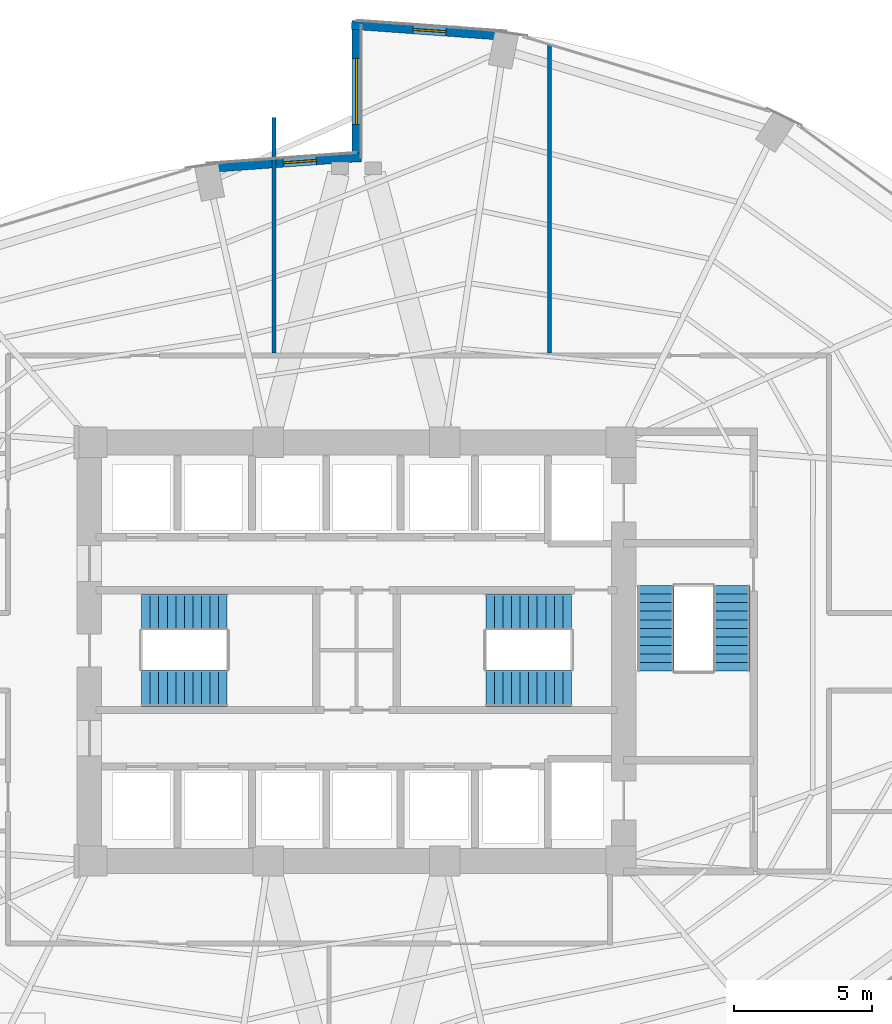
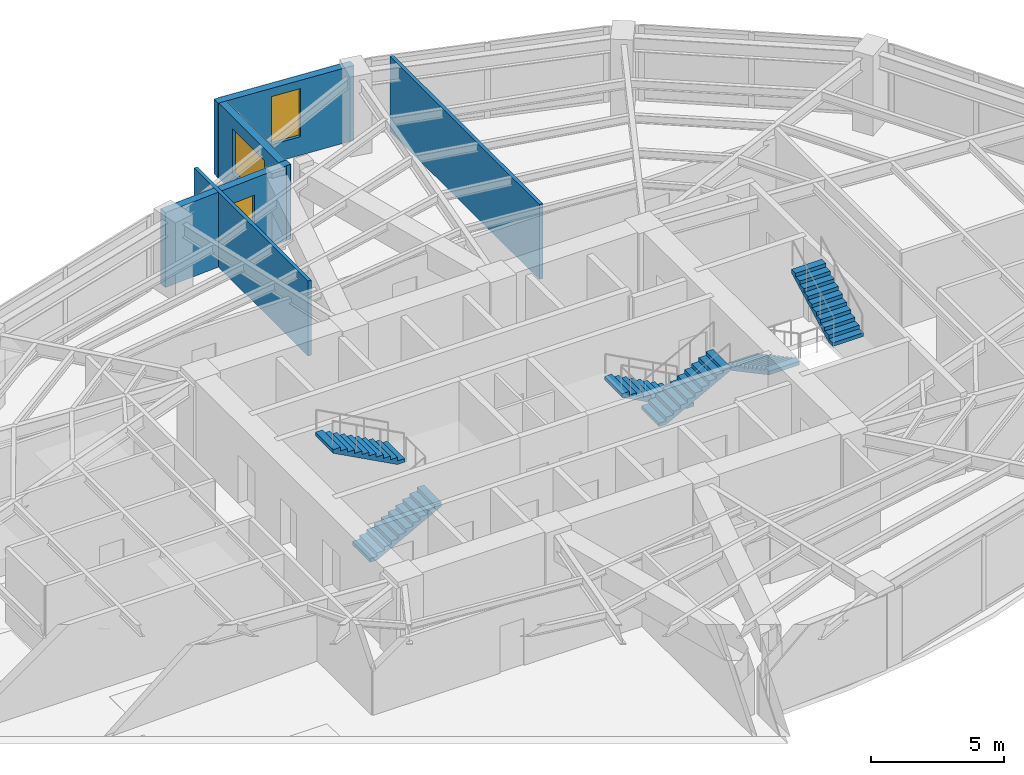
# One storey, part 22 of 24: 6 stair flights, 5 walls, 3 windows, 3 openings, 3 elements without a shape of their own.
"""IFC4 building model written with IfcOpenShell, lengths in metres."""

from ifc_helpers import new_model, si_unit, direction, frame, frame_2d, origin, place, context, subcontext, project, spatial, polyline, rectangle, outline, extrude, material, layer, layer_set, type_object, element, fill, aggregate, save


model = new_model("IFC4")

# Units and contexts
model_context = context("Model", 3, precision=1e-05, world=origin(), true_north=direction((0.0, 1.0)))
body_context = subcontext(model_context, "Body", "Model", "MODEL_VIEW")
ifc_project = project(units=[si_unit("LENGTHUNIT", "METRE"), si_unit("AREAUNIT", "SQUARE_METRE"), si_unit("VOLUMEUNIT", "CUBIC_METRE"), si_unit("PLANEANGLEUNIT", "RADIAN"), si_unit("MASSUNIT", "GRAM", prefix="KILO")], contexts=[model_context])

# Site, building, storey
site_placement = place(None, origin())
site = spatial("IfcSite", under=ifc_project, at=site_placement, CompositionType="ELEMENT")
building_placement = place(site_placement, origin())
building = spatial("IfcBuilding", under=site, at=building_placement, Name="Lazwardi Medical Tower", CompositionType="ELEMENT")
storey_placement = place(building_placement, frame((0.0, 0.0, 39.7919921875)))
storey = spatial("IfcBuildingStorey", under=building, at=storey_placement, Name="L09", CompositionType="ELEMENT", Elevation=39.7919921875)

# Wall, opening, window
ifc_material_1 = material(Name="Precast concrete C45/55", Category="concrete")
ifc_layer_1 = layer(ifc_material_1, 0.320068359375)
ifc_layer_set_1 = layer_set([ifc_layer_1], Name="Precast concrete C45/55")
wall_type_1 = type_object("IfcWallType", Name="WL-IWAN-320", PredefinedType="SOLIDWALL", material=ifc_layer_set_1)
wall_1_placement = place(storey_placement, frame((41.481201171875, 50.345703125, 0.0), z_axis=(0.0, 0.0, 1.0), x_axis=(-0.997422321809, 0.071754525696, 0.0)))
wall_1 = element("IfcWall", 1, at=wall_1_placement, inside=storey, type_object=wall_type_1, Name="L09 Iwan Portal Return Wall NE_ret", PredefinedType="SOLIDWALL", context=body_context, shape_type="SweptSolid", body=[
    extrude(rectangle(XDim=5.67529296875, YDim=0.320068359375, at=frame_2d((2.837646484375, 0.0))), origin(), (0.0, 0.0, 1.0), 3.427978515625),
])
opening_1_placement = place(wall_1_placement, frame((2.23779296875, 0.0, 0.85009765625)))
opening_1 = element("IfcOpeningElement", 2, at=opening_1_placement, cuts=wall_1, Name="Opening WN-01", PredefinedType="OPENING", context=body_context, shape_type="SweptSolid", body=[
    extrude(rectangle(XDim=1.199951171875, YDim=2.199951171875, at=frame_2d((0.60009765625, 1.10009765625))), frame((0.0, 0.169921875, 0.0), z_axis=(0.0, -1.0, 0.0), x_axis=(1.0, 0.0, 0.0)), (0.0, 0.0, 1.0), 0.340087890625),
])
ifc_material_2 = material(Name="Low-e bronze solar control double glazing", Category="glass")
window_type_1 = type_object("IfcWindowType", Name="WIN-IW-1200", PartitioningType="SINGLE_PANEL", PredefinedType="WINDOW", material=ifc_material_2)
window_1_placement = place(opening_1_placement, origin())
window_1 = element("IfcWindow", 3, at=window_1_placement, inside=storey, type_object=window_type_1, Name="L09 Iwan Slot Window NE_ret", OverallHeight=2.199951171875, OverallWidth=1.199951171875, PartitioningType="SINGLE_PANEL", PredefinedType="WINDOW", context=body_context, shape_type="SweptSolid", body=[
    extrude(rectangle(XDim=1.199951171875, YDim=2.199951171875, at=frame_2d((0.60009765625, 1.10009765625))), frame((0.0, 0.030029296875, 0.0), z_axis=(0.0, -1.0, 0.0), x_axis=(1.0, 0.0, 0.0)), (0.0, 0.0, 1.0), 0.06005859375),
])
fill(opening_1, window_1)

wall_2_placement = place(storey_placement, frame((36.178955078125, 45.952880859375, 0.0), z_axis=(0.0, 0.0, 1.0), x_axis=(-0.997421878774, -0.071760683825, 0.0)))
wall_2 = element("IfcWall", 4, at=wall_2_placement, inside=storey, type_object=wall_type_1, Name="L09 Iwan Portal Return Wall NW_ret", PredefinedType="SOLIDWALL", context=body_context, shape_type="SweptSolid", body=[
    extrude(rectangle(XDim=5.6748046875, YDim=0.320068359375, at=frame_2d((2.83740234375, 0.0))), origin(), (0.0, 0.0, 1.0), 3.427978515625),
])
opening_2_placement = place(wall_2_placement, frame((1.64599609375, 0.0, 0.85009765625)))
opening_2 = element("IfcOpeningElement", 5, at=opening_2_placement, cuts=wall_2, Name="Opening WN-04", PredefinedType="OPENING", context=body_context, shape_type="SweptSolid", body=[
    extrude(rectangle(XDim=1.199951171875, YDim=1.800048828125, at=frame_2d((0.60009765625, 0.89990234375))), frame((0.0, 0.169921875, 0.0), z_axis=(0.0, -1.0, 0.0), x_axis=(1.0, 0.0, 0.0)), (0.0, 0.0, 1.0), 0.340087890625),
])
window_type_2 = type_object("IfcWindowType", Name="WIN-DRUM-1200", PartitioningType="SINGLE_PANEL", PredefinedType="WINDOW", material=ifc_material_2)
window_2_placement = place(opening_2_placement, origin())
window_2 = element("IfcWindow", 6, at=window_2_placement, inside=storey, type_object=window_type_2, Name="L09 Iwan Slot Window NW_ret", OverallHeight=1.800048828125, OverallWidth=1.199951171875, PartitioningType="SINGLE_PANEL", PredefinedType="WINDOW", context=body_context, shape_type="SweptSolid", body=[
    extrude(rectangle(XDim=1.199951171875, YDim=1.800048828125, at=frame_2d((0.60009765625, 0.89990234375))), frame((0.0, 0.030029296875, 0.0), z_axis=(0.0, -1.0, 0.0), x_axis=(1.0, 0.0, 0.0)), (0.0, 0.0, 1.0), 0.06005859375),
])
fill(opening_2, window_2)

wall_3_placement = place(storey_placement, frame((36.0, 50.89990234375, 0.0), z_axis=(0.0, 0.0, 1.0), x_axis=(0.0, -1.0, 0.0)))
wall_3 = element("IfcWall", 7, at=wall_3_placement, inside=storey, type_object=wall_type_1, Name="L09 Turquoise Tilework Iwan Seam Wall N_seam", PredefinedType="SOLIDWALL", context=body_context, shape_type="SweptSolid", body=[
    extrude(rectangle(XDim=5.119873046875, YDim=0.320068359375, at=frame_2d((2.56005859375, 0.0))), origin(), (0.0, 0.0, 1.0), 3.427978515625),
])
opening_3_placement = place(wall_3_placement, frame((1.360107421875, 0.0, 0.840087890625)))
opening_3 = element("IfcOpeningElement", 8, at=opening_3_placement, cuts=wall_3, Name="Opening WN-02", PredefinedType="OPENING", context=body_context, shape_type="SweptSolid", body=[
    extrude(rectangle(XDim=2.39990234375, YDim=2.0400390625, at=frame_2d((1.199951171875, 1.02001953125))), frame((0.0, 0.169921875, 0.0), z_axis=(0.0, -1.0, 0.0), x_axis=(1.0, 0.0, 0.0)), (0.0, 0.0, 1.0), 0.340087890625),
])
window_type_3 = type_object("IfcWindowType", Name="WIN-IW-2400", PartitioningType="SINGLE_PANEL", PredefinedType="WINDOW", material=ifc_material_2)
window_3_placement = place(opening_3_placement, origin())
window_3 = element("IfcWindow", 9, at=window_3_placement, inside=storey, type_object=window_type_3, Name="L09 Iwan Seam Window N_seam", OverallHeight=2.0400390625, OverallWidth=2.39990234375, PartitioningType="SINGLE_PANEL", PredefinedType="WINDOW", context=body_context, shape_type="SweptSolid", body=[
    extrude(rectangle(XDim=2.39990234375, YDim=2.0400390625, at=frame_2d((1.199951171875, 1.02001953125))), frame((0.0, 0.030029296875, 0.0), z_axis=(0.0, -1.0, 0.0), x_axis=(1.0, 0.0, 0.0)), (0.0, 0.0, 1.0), 0.06005859375),
])
fill(opening_3, window_3)

# Walls
ifc_material_3 = material(Name="Acoustic gypsum board partition")
ifc_layer_2 = layer(ifc_material_3, 0.14990234375)
ifc_layer_set_2 = layer_set([ifc_layer_2], Name="Acoustic gypsum board partition")
wall_type_2 = type_object("IfcWallType", Name="WL-WRD-150", PredefinedType="PARTITIONING", material=ifc_layer_set_2)
wall_4_placement = place(storey_placement, frame((33.0, 38.840087890625, 0.0), z_axis=(0.0, 0.0, 1.0), x_axis=(0.0, 1.0, 0.0)))
element("IfcWall", 10, at=wall_4_placement, inside=storey, type_object=wall_type_2, Name="L09 Room partition 6", PredefinedType="PARTITIONING", context=body_context, shape_type="SweptSolid", body=[
    extrude(rectangle(XDim=8.548828125, YDim=0.14990234375, at=frame_2d((4.2744140625, 0.0))), origin(), (0.0, 0.0, 1.0), 3.427978515625),
])
wall_5_placement = place(storey_placement, frame((43.0, 38.840087890625, 0.0), z_axis=(0.0, 0.0, 1.0), x_axis=(0.0, 1.0, 0.0)))
element("IfcWall", 11, at=wall_5_placement, inside=storey, type_object=wall_type_2, Name="L09 Room partition 7", PredefinedType="PARTITIONING", context=body_context, shape_type="SweptSolid", body=[
    extrude(rectangle(XDim=11.193115234375, YDim=0.14990234375, at=frame_2d((5.5966796875, 0.0))), origin(), (0.0, 0.0, 1.0), 3.427978515625),
])

# Stair, stair flights
ifc_material_4 = material(Name="Concrete C45/55", Category="concrete")
stair_type = type_object("IfcStairType", Name="STR-WRD", PredefinedType="HALF_TURN_STAIR", material=ifc_material_4)
stair_1_placement = place(storey_placement, origin())
stair_1 = element("IfcStair", 12, at=stair_1_placement, inside=storey, type_object=stair_type, Name="L09 Protected Exit Stair ST1", PredefinedType="HALF_TURN_STAIR")
stair_flight_type = type_object("IfcStairFlightType", Name="FLT-WRD", PredefinedType="STRAIGHT", material=ifc_material_4)
stair_flight_1_placement = place(storey_placement, frame((28.199951171875, 26.679931640625, 0.0), z_axis=(0.0, 0.0, 1.0), x_axis=(1.0, 0.0, 0.0)))
stair_flight_1 = element("IfcStairFlight", 13, at=stair_flight_1_placement, type_object=stair_flight_type, Name="ST1 flight 1", NumberOfRisers=11, NumberOfTreads=10, PredefinedType="STRAIGHT", RiserHeight=0.165818182, TreadLength=0.31, context=body_context, shape_type="SweptSolid", body=[
    extrude(outline(polyline([(0.0, 0.0), (0.0, 0.165771484375), (0.31005859375, 0.165771484375), (0.31005859375, 0.33154296875), (0.6201171875, 0.33154296875), (0.6201171875, 0.49755859375), (0.929931640625, 0.49755859375), (0.929931640625, 0.663330078125), (1.239990234375, 0.663330078125), (1.239990234375, 0.8291015625), (1.550048828125, 0.8291015625), (1.550048828125, 0.994873046875), (1.860107421875, 0.994873046875), (1.860107421875, 1.16064453125), (2.169921875, 1.16064453125), (2.169921875, 1.32666015625), (2.47998046875, 1.32666015625), (2.47998046875, 1.492431640625), (2.7900390625, 1.492431640625), (2.7900390625, 1.658203125), (3.10009765625, 1.658203125), (3.10009765625, 1.823974609375), (3.10009765625, 1.48828125), (0.31787109375, 0.0), (0.0, 0.0)])), frame((0.0, 0.66015625, 0.0), z_axis=(0.0, -1.0, 0.0), x_axis=(1.0, 0.0, 0.0)), (0.0, 0.0, 1.0), 1.320068359375),
])
stair_flight_2_placement = place(storey_placement, frame((31.300048828125, 29.43994140625, 1.823974609375), z_axis=(0.0, 0.0, 1.0), x_axis=(-1.0, 0.0, 0.0)))
stair_flight_2 = element("IfcStairFlight", 14, at=stair_flight_2_placement, type_object=stair_flight_type, Name="ST1 flight 2", NumberOfRisers=11, NumberOfTreads=10, PredefinedType="STRAIGHT", RiserHeight=0.165818182, TreadLength=0.31, context=body_context, shape_type="SweptSolid", body=[
    extrude(outline(polyline([(0.0, 0.0), (0.0, 0.165771484375), (0.31005859375, 0.165771484375), (0.31005859375, 0.33154296875), (0.6201171875, 0.33154296875), (0.6201171875, 0.49755859375), (0.929931640625, 0.49755859375), (0.929931640625, 0.663330078125), (1.239990234375, 0.663330078125), (1.239990234375, 0.8291015625), (1.550048828125, 0.8291015625), (1.550048828125, 0.994873046875), (1.860107421875, 0.994873046875), (1.860107421875, 1.16064453125), (2.169921875, 1.16064453125), (2.169921875, 1.32666015625), (2.47998046875, 1.32666015625), (2.47998046875, 1.492431640625), (2.7900390625, 1.492431640625), (2.7900390625, 1.658203125), (3.10009765625, 1.658203125), (3.10009765625, 1.823974609375), (3.10009765625, 1.48828125), (0.31787109375, 0.0), (0.0, 0.0)])), frame((0.0, 0.66015625, 0.0), z_axis=(0.0, -1.0, 0.0), x_axis=(1.0, 0.0, 0.0)), (0.0, 0.0, 1.0), 1.320068359375),
])
aggregate(stair_1, [stair_flight_1, stair_flight_2])

stair_2_placement = place(storey_placement, origin())
stair_2 = element("IfcStair", 15, at=stair_2_placement, inside=storey, type_object=stair_type, Name="L09 Protected Exit Stair ST2", PredefinedType="HALF_TURN_STAIR")
stair_flight_3_placement = place(storey_placement, frame((43.800048828125, 29.43994140625, 0.0), z_axis=(0.0, 0.0, 1.0), x_axis=(-1.0, 0.0, 0.0)))
stair_flight_3 = element("IfcStairFlight", 16, at=stair_flight_3_placement, type_object=stair_flight_type, Name="ST2 flight 1", NumberOfRisers=11, NumberOfTreads=10, PredefinedType="STRAIGHT", RiserHeight=0.165818182, TreadLength=0.31, context=body_context, shape_type="SweptSolid", body=[
    extrude(outline(polyline([(0.0, 0.0), (0.0, 0.165771484375), (0.31005859375, 0.165771484375), (0.31005859375, 0.33154296875), (0.6201171875, 0.33154296875), (0.6201171875, 0.49755859375), (0.929931640625, 0.49755859375), (0.929931640625, 0.663330078125), (1.239990234375, 0.663330078125), (1.239990234375, 0.8291015625), (1.550048828125, 0.8291015625), (1.550048828125, 0.994873046875), (1.860107421875, 0.994873046875), (1.860107421875, 1.16064453125), (2.169921875, 1.16064453125), (2.169921875, 1.32666015625), (2.47998046875, 1.32666015625), (2.47998046875, 1.492431640625), (2.7900390625, 1.492431640625), (2.7900390625, 1.658203125), (3.10009765625, 1.658203125), (3.10009765625, 1.823974609375), (3.10009765625, 1.48828125), (0.31787109375, 0.0), (0.0, 0.0)])), frame((0.0, 0.66015625, 0.0), z_axis=(0.0, -1.0, 0.0), x_axis=(1.0, 0.0, 0.0)), (0.0, 0.0, 1.0), 1.320068359375),
])
stair_flight_4_placement = place(storey_placement, frame((40.699951171875, 26.679931640625, 1.823974609375), z_axis=(0.0, 0.0, 1.0), x_axis=(1.0, 0.0, 0.0)))
stair_flight_4 = element("IfcStairFlight", 17, at=stair_flight_4_placement, type_object=stair_flight_type, Name="ST2 flight 2", NumberOfRisers=11, NumberOfTreads=10, PredefinedType="STRAIGHT", RiserHeight=0.165818182, TreadLength=0.31, context=body_context, shape_type="SweptSolid", body=[
    extrude(outline(polyline([(0.0, 0.0), (0.0, 0.165771484375), (0.31005859375, 0.165771484375), (0.31005859375, 0.33154296875), (0.6201171875, 0.33154296875), (0.6201171875, 0.49755859375), (0.929931640625, 0.49755859375), (0.929931640625, 0.663330078125), (1.239990234375, 0.663330078125), (1.239990234375, 0.8291015625), (1.550048828125, 0.8291015625), (1.550048828125, 0.994873046875), (1.860107421875, 0.994873046875), (1.860107421875, 1.16064453125), (2.169921875, 1.16064453125), (2.169921875, 1.32666015625), (2.47998046875, 1.32666015625), (2.47998046875, 1.492431640625), (2.7900390625, 1.492431640625), (2.7900390625, 1.658203125), (3.10009765625, 1.658203125), (3.10009765625, 1.823974609375), (3.10009765625, 1.48828125), (0.31787109375, 0.0), (0.0, 0.0)])), frame((0.0, 0.66015625, 0.0), z_axis=(0.0, -1.0, 0.0), x_axis=(1.0, 0.0, 0.0)), (0.0, 0.0, 1.0), 1.320068359375),
])
aggregate(stair_2, [stair_flight_3, stair_flight_4])

stair_3_placement = place(storey_placement, origin())
stair_3 = element("IfcStair", 18, at=stair_3_placement, inside=storey, type_object=stair_type, Name="L09 Protected Exit Stair ST3", PredefinedType="HALF_TURN_STAIR")
stair_flight_5_placement = place(storey_placement, frame((46.860107421875, 30.39990234375, 0.0), z_axis=(0.0, 0.0, 1.0), x_axis=(0.0, -1.0, 0.0)))
stair_flight_5 = element("IfcStairFlight", 19, at=stair_flight_5_placement, type_object=stair_flight_type, Name="ST3 flight 1", NumberOfRisers=11, NumberOfTreads=10, PredefinedType="STRAIGHT", RiserHeight=0.165818182, TreadLength=0.31, context=body_context, shape_type="SweptSolid", body=[
    extrude(outline(polyline([(0.0, 0.0), (0.0, 0.165771484375), (0.31005859375, 0.165771484375), (0.31005859375, 0.33154296875), (0.6201171875, 0.33154296875), (0.6201171875, 0.49755859375), (0.929931640625, 0.49755859375), (0.929931640625, 0.663330078125), (1.239990234375, 0.663330078125), (1.239990234375, 0.8291015625), (1.550048828125, 0.8291015625), (1.550048828125, 0.994873046875), (1.860107421875, 0.994873046875), (1.860107421875, 1.16064453125), (2.169921875, 1.16064453125), (2.169921875, 1.32666015625), (2.47998046875, 1.32666015625), (2.47998046875, 1.492431640625), (2.7900390625, 1.492431640625), (2.7900390625, 1.658203125), (3.10009765625, 1.658203125), (3.10009765625, 1.823974609375), (3.10009765625, 1.48828125), (0.31787109375, 0.0), (0.0, 0.0)])), frame((0.0, 0.66015625, 0.0), z_axis=(0.0, -1.0, 0.0), x_axis=(1.0, 0.0, 0.0)), (0.0, 0.0, 1.0), 1.320068359375),
])
stair_flight_6_placement = place(storey_placement, frame((49.6201171875, 27.300048828125, 1.823974609375), z_axis=(0.0, 0.0, 1.0), x_axis=(0.0, 1.0, 0.0)))
stair_flight_6 = element("IfcStairFlight", 20, at=stair_flight_6_placement, type_object=stair_flight_type, Name="ST3 flight 2", NumberOfRisers=11, NumberOfTreads=10, PredefinedType="STRAIGHT", RiserHeight=0.165818182, TreadLength=0.31, context=body_context, shape_type="SweptSolid", body=[
    extrude(outline(polyline([(0.0, 0.0), (0.0, 0.165771484375), (0.31005859375, 0.165771484375), (0.31005859375, 0.33154296875), (0.6201171875, 0.33154296875), (0.6201171875, 0.49755859375), (0.929931640625, 0.49755859375), (0.929931640625, 0.663330078125), (1.239990234375, 0.663330078125), (1.239990234375, 0.8291015625), (1.550048828125, 0.8291015625), (1.550048828125, 0.994873046875), (1.860107421875, 0.994873046875), (1.860107421875, 1.16064453125), (2.169921875, 1.16064453125), (2.169921875, 1.32666015625), (2.47998046875, 1.32666015625), (2.47998046875, 1.492431640625), (2.7900390625, 1.492431640625), (2.7900390625, 1.658203125), (3.10009765625, 1.658203125), (3.10009765625, 1.823974609375), (3.10009765625, 1.48828125), (0.31787109375, 0.0), (0.0, 0.0)])), frame((0.0, 0.66015625, 0.0), z_axis=(0.0, -1.0, 0.0), x_axis=(1.0, 0.0, 0.0)), (0.0, 0.0, 1.0), 1.320068359375),
])
aggregate(stair_3, [stair_flight_5, stair_flight_6])

save(model, "model.ifc")
